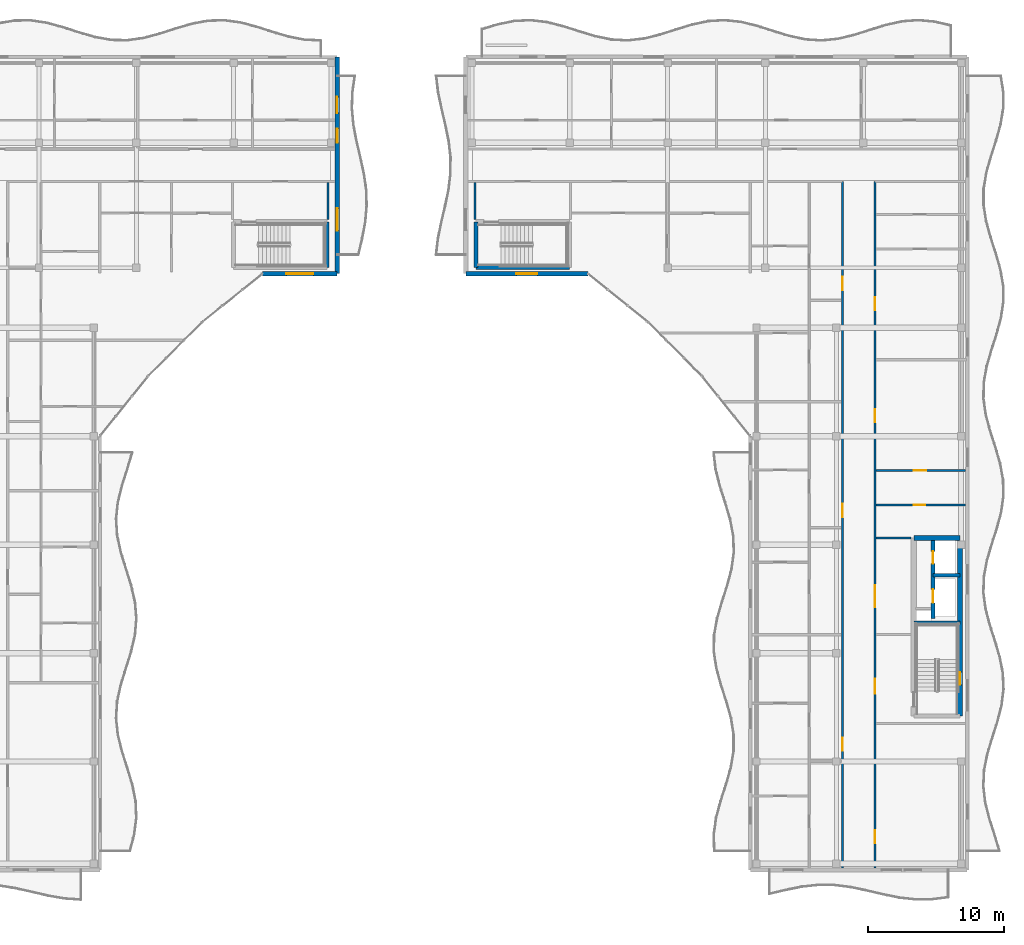
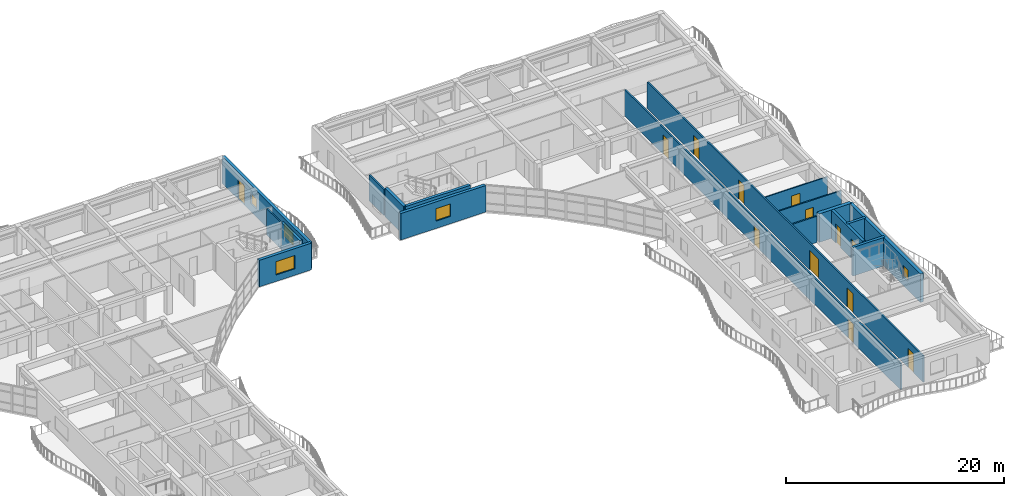
# One storey, part 42 of 68: 18 walls, 13 doors, 5 windows, 18 openings.
"""IFC4 building model written with IfcOpenShell, lengths in metres."""

from ifc_helpers import new_model, si_unit, direction, frame, frame_2d, origin, place, context, subcontext, project, spatial, rectangle, extrude, material, layer, layer_set, type_object, element, fill, save


model = new_model("IFC4")

# Units and contexts
model_context = context("Model", 3, precision=1e-05, world=origin(), true_north=direction((0.0, 1.0)))
body_context = subcontext(model_context, "Body", "Model", "MODEL_VIEW")
ifc_project = project(units=[si_unit("LENGTHUNIT", "METRE"), si_unit("AREAUNIT", "SQUARE_METRE"), si_unit("VOLUMEUNIT", "CUBIC_METRE"), si_unit("PLANEANGLEUNIT", "RADIAN"), si_unit("MASSUNIT", "GRAM", prefix="KILO")], contexts=[model_context])

# Site, building, storey
site_placement = place(None, origin())
site = spatial("IfcSite", under=ifc_project, at=site_placement, CompositionType="ELEMENT")
building_placement = place(site_placement, origin())
building = spatial("IfcBuilding", under=site, at=building_placement, Name="Keldmere Railside Commons", CompositionType="ELEMENT")
storey_placement = place(building_placement, frame((0.0, 0.0, 23.360107421875)))
storey = spatial("IfcBuildingStorey", under=building, at=storey_placement, Name="L07", CompositionType="ELEMENT", Elevation=23.360107421875)

# Wall, opening, door
ifc_material_1 = material(Name="Acoustic Gypsum Board Partition", Category="gypsum")
ifc_layer_1 = layer(ifc_material_1, 0.1201171875, Name="Apartment Interior Partition 120")
ifc_layer_set_1 = layer_set([ifc_layer_1], Name="Acoustic Gypsum Board Partition")
wall_type_1 = type_object("IfcWallType", Name="Apartment Interior Partition 120", PredefinedType="PARTITIONING", material=ifc_layer_set_1)
wall_1_placement = place(storey_placement, frame((177.280029296875, 85.47998046875, 0.0), z_axis=(0.0, 0.0, 1.0), x_axis=(1.0, 0.0, 0.0)))
wall_1 = element("IfcWall", 1, at=wall_1_placement, inside=storey, type_object=wall_type_1, Name="IW-4 IW-L07-1716", PredefinedType="PARTITIONING", context=body_context, shape_type="SweptSolid", body=[
    extrude(rectangle(XDim=6.590087890625, YDim=0.1201171875, at=frame_2d((3.294921875, 0.0))), origin(), (0.0, 0.0, 1.0), 2.934814453125),
])
opening_1_placement = place(wall_1_placement, frame((2.767822265625, 0.0, 0.0)))
opening_1 = element("IfcOpeningElement", 2, at=opening_1_placement, cuts=wall_1, Name="Opening ID-03", PredefinedType="OPENING", context=body_context, shape_type="SweptSolid", body=[
    extrude(rectangle(XDim=0.919921875, YDim=2.10009765625, at=frame_2d((0.4599609375, 1.050048828125))), frame((0.0, 0.070068359375, 0.0), z_axis=(0.0, -1.0, 0.0), x_axis=(1.0, 0.0, 0.0)), (0.0, 0.0, 1.0), 0.14013671875),
])
ifc_material_2 = material(Name="Engineered Oak Timber", Category="wood")
door_type_1 = type_object("IfcDoorType", Name="Kitchen Pocket-Frame Swing Door 920x2100", OperationType="NOTDEFINED", PredefinedType="DOOR", material=ifc_material_2)
door_1_placement = place(opening_1_placement, origin())
door_1 = element("IfcDoor", 3, at=door_1_placement, inside=storey, type_object=door_type_1, Name="ID-03 IDR-L07-1564", OperationType="SINGLE_SWING_RIGHT", OverallHeight=2.10009765625, OverallWidth=0.919921875, PredefinedType="DOOR", context=body_context, shape_type="SweptSolid", body=[
    extrude(rectangle(XDim=0.919921875, YDim=2.10009765625, at=frame_2d((0.4599609375, 1.050048828125))), frame((0.0, 0.02490234375, 0.0), z_axis=(0.0, -1.0, 0.0), x_axis=(1.0, 0.0, 0.0)), (0.0, 0.0, 1.0), 0.050048828125),
])
fill(opening_1, door_1)

# Walls
ifc_material_3 = material(Name="Concrete H-35 (C35/45)", Category="concrete")
ifc_layer_2 = layer(ifc_material_3, 0.280029296875, Name="Core Shear Wall 280")
ifc_layer_set_2 = layer_set([ifc_layer_2], Name="Concrete H-35 (C35/45)")
wall_type_2 = type_object("IfcWallType", Name="Core Shear Wall 280", PredefinedType="SHEAR", material=ifc_layer_set_2)
wall_2_placement = place(storey_placement, frame((180.06005859375, 74.239990234375, 0.0), z_axis=(0.0, 0.0, 1.0), x_axis=(1.0, 0.0, 0.0)))
element("IfcWall", 4, at=wall_2_placement, inside=storey, type_object=wall_type_2, Name="CSW-2 COREAM-L07-0796", PredefinedType="SHEAR", context=body_context, shape_type="SweptSolid", body=[
    extrude(rectangle(XDim=3.409912109375, YDim=0.280029296875, at=frame_2d((1.705078125, 0.0))), origin(), (0.0, 0.0, 1.0), 3.199951171875),
])
wall_3_placement = place(storey_placement, frame((181.469970703125, 77.75, 0.0), z_axis=(0.0, 0.0, 1.0), x_axis=(1.0, 0.0, 0.0)))
element("IfcWall", 5, at=wall_3_placement, inside=storey, type_object=wall_type_2, Name="CSW-2 COREAL-L07-0797", PredefinedType="SHEAR", context=body_context, shape_type="SweptSolid", body=[
    extrude(rectangle(XDim=2.0, YDim=0.280029296875, at=frame_2d((1.0, 0.0))), origin(), (0.0, 0.0, 1.0), 3.199951171875),
])

# Wall, openings, doors
wall_4_placement = place(storey_placement, frame((181.469970703125, 74.550048828125, 0.0), z_axis=(0.0, 0.0, 1.0), x_axis=(0.0, 1.0, 0.0)))
wall_4 = element("IfcWall", 6, at=wall_4_placement, inside=storey, type_object=wall_type_2, Name="CSW-2 LSHA-L07-0798", PredefinedType="SHEAR", context=body_context, shape_type="SweptSolid", body=[
    extrude(rectangle(XDim=5.949951171875, YDim=0.280029296875, at=frame_2d((2.97509765625, 0.0))), origin(), (0.0, 0.0, 1.0), 3.199951171875),
])
opening_2_placement = place(wall_4_placement, frame((1.14990234375, 0.0, 0.0)))
opening_2 = element("IfcOpeningElement", 7, at=opening_2_placement, cuts=wall_4, Name="Opening LD-1", PredefinedType="OPENING", context=body_context, shape_type="SweptSolid", body=[
    extrude(rectangle(XDim=1.0, YDim=2.14990234375, at=frame_2d((0.5, 1.074951171875))), frame((0.0, 0.14990234375, 0.0), z_axis=(0.0, -1.0, 0.0), x_axis=(1.0, 0.0, 0.0)), (0.0, 0.0, 1.0), 0.300048828125),
])
opening_3_placement = place(wall_4_placement, frame((4.050048828125, 0.0, 0.0)))
opening_3 = element("IfcOpeningElement", 8, at=opening_3_placement, cuts=wall_4, Name="Opening LD-2", PredefinedType="OPENING", context=body_context, shape_type="SweptSolid", body=[
    extrude(rectangle(XDim=0.89990234375, YDim=2.14990234375, at=frame_2d((0.449951171875, 1.074951171875))), frame((0.0, 0.14990234375, 0.0), z_axis=(0.0, -1.0, 0.0), x_axis=(1.0, 0.0, 0.0)), (0.0, 0.0, 1.0), 0.300048828125),
])
ifc_material_4 = material(Name="Steel F-24 (S235)", Category="steel")
door_type_2 = type_object("IfcDoorType", Name="Firefighting Stretcher Lift Landing Door 1000x2150", OperationType="SLIDING_TO_LEFT", PredefinedType="DOOR", material=ifc_material_4)
door_2_placement = place(opening_2_placement, origin())
door_2 = element("IfcDoor", 9, at=door_2_placement, inside=storey, type_object=door_type_2, Name="LD-1 A L07", OperationType="SLIDING_TO_LEFT", OverallHeight=2.14990234375, OverallWidth=1.0, PredefinedType="DOOR", context=body_context, shape_type="SweptSolid", body=[
    extrude(rectangle(XDim=1.0, YDim=2.14990234375, at=frame_2d((0.5, 1.074951171875))), frame((0.0, 0.02490234375, 0.0), z_axis=(0.0, -1.0, 0.0), x_axis=(1.0, 0.0, 0.0)), (0.0, 0.0, 1.0), 0.050048828125),
])
fill(opening_2, door_2)
door_type_3 = type_object("IfcDoorType", Name="Passenger Lift Sliding Landing Door 900x2150", OperationType="SLIDING_TO_RIGHT", PredefinedType="DOOR", material=ifc_material_4)
door_3_placement = place(opening_3_placement, origin())
door_3 = element("IfcDoor", 10, at=door_3_placement, inside=storey, type_object=door_type_3, Name="LD-2 A L07", OperationType="SLIDING_TO_RIGHT", OverallHeight=2.14990234375, OverallWidth=0.89990234375, PredefinedType="DOOR", context=body_context, shape_type="SweptSolid", body=[
    extrude(rectangle(XDim=0.89990234375, YDim=2.14990234375, at=frame_2d((0.449951171875, 1.074951171875))), frame((0.0, 0.02490234375, 0.0), z_axis=(0.0, -1.0, 0.0), x_axis=(1.0, 0.0, 0.0)), (0.0, 0.0, 1.0), 0.050048828125),
])
fill(opening_3, door_3)

# Wall
ifc_material_5 = material(Name="Concrete H-40 (C40/50)", Category="concrete")
ifc_layer_3 = layer(ifc_material_5, 0.3798828125, Name="Core Shear Wall 380")
ifc_layer_set_3 = layer_set([ifc_layer_3], Name="Concrete H-40 (C40/50)")
wall_type_3 = type_object("IfcWallType", Name="Core Shear Wall 380", PredefinedType="SHEAR", material=ifc_layer_set_3)
wall_5_placement = place(storey_placement, frame((180.06005859375, 80.5, 0.0), z_axis=(0.0, 0.0, 1.0), x_axis=(1.0, 0.0, 0.0)))
element("IfcWall", 11, at=wall_5_placement, inside=storey, type_object=wall_type_3, Name="CW-CORE COREAN-L07-0793", PredefinedType="SHEAR", context=body_context, shape_type="SweptSolid", body=[
    extrude(rectangle(XDim=3.409912109375, YDim=0.3798828125, at=frame_2d((1.705078125, 0.0))), origin(), (0.0, 0.0, 1.0), 3.199951171875),
])

# Wall, openings, doors
ifc_layer_4 = layer(ifc_material_1, 0.159912109375, Name="Corridor Fire Partition 160")
ifc_layer_set_4 = layer_set([ifc_layer_4], Name="Acoustic Gypsum Board Partition")
wall_type_4 = type_object("IfcWallType", Name="Corridor Fire Partition 160", PredefinedType="PARTITIONING", material=ifc_layer_set_4)
wall_6_placement = place(storey_placement, frame((174.800048828125, 56.159912109375, 0.0), z_axis=(0.0, 0.0, 1.0), x_axis=(0.0, 1.0, 0.0)))
wall_6 = element("IfcWall", 12, at=wall_6_placement, inside=storey, type_object=wall_type_4, Name="IW-2 IW-L07-1682", PredefinedType="PARTITIONING", context=body_context, shape_type="SweptSolid", body=[
    extrude(rectangle(XDim=50.64013671875, YDim=0.159912109375, at=frame_2d((25.320068359375, 0.0))), origin(), (0.0, 0.0, 1.0), 2.934814453125),
])
opening_4_placement = place(wall_6_placement, frame((8.6201171875, 0.0, 0.0)))
opening_4 = element("IfcOpeningElement", 13, at=opening_4_placement, cuts=wall_6, Name="Opening FD-7", PredefinedType="OPENING", context=body_context, shape_type="SweptSolid", body=[
    extrude(rectangle(XDim=0.97998046875, YDim=2.14990234375, at=frame_2d((0.489990234375, 1.074951171875))), frame((0.0, 0.08984375, 0.0), z_axis=(0.0, -1.0, 0.0), x_axis=(1.0, 0.0, 0.0)), (0.0, 0.0, 1.0), 0.179931640625),
])
opening_5_placement = place(wall_6_placement, frame((25.85009765625, 0.0, 0.0)))
opening_5 = element("IfcOpeningElement", 14, at=opening_5_placement, cuts=wall_6, Name="Opening FD-8", PredefinedType="OPENING", context=body_context, shape_type="SweptSolid", body=[
    extrude(rectangle(XDim=1.02001953125, YDim=2.14990234375, at=frame_2d((0.510009765625, 1.074951171875))), frame((0.0, 0.08984375, 0.0), z_axis=(0.0, -1.0, 0.0), x_axis=(1.0, 0.0, 0.0)), (0.0, 0.0, 1.0), 0.179931640625),
])
opening_6_placement = place(wall_6_placement, frame((42.6201171875, 0.0, 0.0)))
opening_6 = element("IfcOpeningElement", 15, at=opening_6_placement, cuts=wall_6, Name="Opening FD-7", PredefinedType="OPENING", context=body_context, shape_type="SweptSolid", body=[
    extrude(rectangle(XDim=0.97998046875, YDim=2.14990234375, at=frame_2d((0.489990234375, 1.074951171875))), frame((0.0, 0.08984375, 0.0), z_axis=(0.0, -1.0, 0.0), x_axis=(1.0, 0.0, 0.0)), (0.0, 0.0, 1.0), 0.179931640625),
])
door_type_4 = type_object("IfcDoorType", Name="Adaptable Apartment Entrance Fire Door 1020x2150", OperationType="NOTDEFINED", PredefinedType="DOOR", material=ifc_material_2)
door_4_placement = place(opening_5_placement, origin())
door_4 = element("IfcDoor", 16, at=door_4_placement, inside=storey, type_object=door_type_4, Name="FD-8 IDR-L07-1540", OperationType="SINGLE_SWING_RIGHT", OverallHeight=2.14990234375, OverallWidth=1.02001953125, PredefinedType="DOOR", context=body_context, shape_type="SweptSolid", body=[
    extrude(rectangle(XDim=1.02001953125, YDim=2.14990234375, at=frame_2d((0.510009765625, 1.074951171875))), frame((0.0, 0.02490234375, 0.0), z_axis=(0.0, -1.0, 0.0), x_axis=(1.0, 0.0, 0.0)), (0.0, 0.0, 1.0), 0.050048828125),
])
fill(opening_5, door_4)
door_type_5 = type_object("IfcDoorType", Name="Apartment Entrance Acoustic Fire Door 980x2150", OperationType="NOTDEFINED", PredefinedType="DOOR", material=ifc_material_2)
door_5_placement = place(opening_4_placement, origin())
door_5 = element("IfcDoor", 17, at=door_5_placement, inside=storey, type_object=door_type_5, Name="FD-7 IDR-L07-1535", OperationType="SINGLE_SWING_LEFT", OverallHeight=2.14990234375, OverallWidth=0.97998046875, PredefinedType="DOOR", context=body_context, shape_type="SweptSolid", body=[
    extrude(rectangle(XDim=0.97998046875, YDim=2.14990234375, at=frame_2d((0.489990234375, 1.074951171875))), frame((0.0, 0.02490234375, 0.0), z_axis=(0.0, -1.0, 0.0), x_axis=(1.0, 0.0, 0.0)), (0.0, 0.0, 1.0), 0.050048828125),
])
fill(opening_4, door_5)
door_6_placement = place(opening_6_placement, origin())
door_6 = element("IfcDoor", 18, at=door_6_placement, inside=storey, type_object=door_type_5, Name="FD-7 IDR-L07-1545", OperationType="SINGLE_SWING_LEFT", OverallHeight=2.14990234375, OverallWidth=0.97998046875, PredefinedType="DOOR", context=body_context, shape_type="SweptSolid", body=[
    extrude(rectangle(XDim=0.97998046875, YDim=2.14990234375, at=frame_2d((0.489990234375, 1.074951171875))), frame((0.0, 0.02490234375, 0.0), z_axis=(0.0, -1.0, 0.0), x_axis=(1.0, 0.0, 0.0)), (0.0, 0.0, 1.0), 0.050048828125),
])
fill(opening_6, door_6)

wall_7_placement = place(storey_placement, frame((177.199951171875, 56.159912109375, 0.0), z_axis=(0.0, 0.0, 1.0), x_axis=(0.0, 1.0, 0.0)))
wall_7 = element("IfcWall", 19, at=wall_7_placement, inside=storey, type_object=wall_type_4, Name="IW-2 IW-L07-1683", PredefinedType="PARTITIONING", context=body_context, shape_type="SweptSolid", body=[
    extrude(rectangle(XDim=50.64013671875, YDim=0.159912109375, at=frame_2d((25.320068359375, 0.0))), origin(), (0.0, 0.0, 1.0), 2.934814453125),
])
opening_7_placement = place(wall_7_placement, frame((12.840087890625, 0.0, 0.0)))
opening_7 = element("IfcOpeningElement", 20, at=opening_7_placement, cuts=wall_7, Name="Opening FD-2", PredefinedType="OPENING", context=body_context, shape_type="SweptSolid", body=[
    extrude(rectangle(XDim=1.10009765625, YDim=2.14990234375, at=frame_2d((0.550048828125, 1.074951171875))), frame((0.0, 0.08984375, 0.0), z_axis=(0.0, -1.0, 0.0), x_axis=(1.0, 0.0, 0.0)), (0.0, 0.0, 1.0), 0.179931640625),
])
opening_8_placement = place(wall_7_placement, frame((19.239990234375, 0.0, 0.0)))
opening_8 = element("IfcOpeningElement", 21, at=opening_8_placement, cuts=wall_7, Name="Opening FD-4", PredefinedType="OPENING", context=body_context, shape_type="SweptSolid", body=[
    extrude(rectangle(XDim=1.60009765625, YDim=2.14990234375, at=frame_2d((0.800048828125, 1.074951171875))), frame((0.0, 0.08984375, 0.0), z_axis=(0.0, -1.0, 0.0), x_axis=(1.0, 0.0, 0.0)), (0.0, 0.0, 1.0), 0.179931640625),
])
opening_9_placement = place(wall_7_placement, frame((1.800048828125, 0.0, 0.0)))
opening_9 = element("IfcOpeningElement", 22, at=opening_9_placement, cuts=wall_7, Name="Opening ID-08", PredefinedType="OPENING", context=body_context, shape_type="SweptSolid", body=[
    extrude(rectangle(XDim=0.9599609375, YDim=2.14990234375, at=frame_2d((0.47998046875, 1.074951171875))), frame((0.0, 0.08984375, 0.0), z_axis=(0.0, -1.0, 0.0), x_axis=(1.0, 0.0, 0.0)), (0.0, 0.0, 1.0), 0.179931640625),
])
opening_10_placement = place(wall_7_placement, frame((32.8701171875, 0.0, 0.0)))
opening_10 = element("IfcOpeningElement", 23, at=opening_10_placement, cuts=wall_7, Name="Opening FD-7", PredefinedType="OPENING", context=body_context, shape_type="SweptSolid", body=[
    extrude(rectangle(XDim=0.97998046875, YDim=2.14990234375, at=frame_2d((0.489990234375, 1.074951171875))), frame((0.0, 0.08984375, 0.0), z_axis=(0.0, -1.0, 0.0), x_axis=(1.0, 0.0, 0.0)), (0.0, 0.0, 1.0), 0.179931640625),
])
opening_11_placement = place(wall_7_placement, frame((41.1298828125, 0.0, 0.0)))
opening_11 = element("IfcOpeningElement", 24, at=opening_11_placement, cuts=wall_7, Name="Opening FD-7", PredefinedType="OPENING", context=body_context, shape_type="SweptSolid", body=[
    extrude(rectangle(XDim=0.97998046875, YDim=2.14990234375, at=frame_2d((0.489990234375, 1.074951171875))), frame((0.0, 0.08984375, 0.0), z_axis=(0.0, -1.0, 0.0), x_axis=(1.0, 0.0, 0.0)), (0.0, 0.0, 1.0), 0.179931640625),
])
door_7_placement = place(opening_10_placement, origin())
door_7 = element("IfcDoor", 25, at=door_7_placement, inside=storey, type_object=door_type_5, Name="FD-7 IDR-L07-1565", OperationType="SINGLE_SWING_LEFT", OverallHeight=2.14990234375, OverallWidth=0.97998046875, PredefinedType="DOOR", context=body_context, shape_type="SweptSolid", body=[
    extrude(rectangle(XDim=0.97998046875, YDim=2.14990234375, at=frame_2d((0.489990234375, 1.074951171875))), frame((0.0, 0.02490234375, 0.0), z_axis=(0.0, -1.0, 0.0), x_axis=(1.0, 0.0, 0.0)), (0.0, 0.0, 1.0), 0.050048828125),
])
fill(opening_10, door_7)
door_8_placement = place(opening_11_placement, origin())
door_8 = element("IfcDoor", 26, at=door_8_placement, inside=storey, type_object=door_type_5, Name="FD-7 IDR-L07-1568", OperationType="SINGLE_SWING_RIGHT", OverallHeight=2.14990234375, OverallWidth=0.97998046875, PredefinedType="DOOR", context=body_context, shape_type="SweptSolid", body=[
    extrude(rectangle(XDim=0.97998046875, YDim=2.14990234375, at=frame_2d((0.489990234375, 1.074951171875))), frame((0.0, 0.02490234375, 0.0), z_axis=(0.0, -1.0, 0.0), x_axis=(1.0, 0.0, 0.0)), (0.0, 0.0, 1.0), 0.050048828125),
])
fill(opening_11, door_8)
door_type_6 = type_object("IfcDoorType", Name="Corridor Cross-Compartment Double Fire Door 1600x2150", OperationType="DOUBLE_DOOR_SINGLE_SWING", PredefinedType="DOOR", material=ifc_material_4)
door_9_placement = place(opening_8_placement, origin())
door_9 = element("IfcDoor", 27, at=door_9_placement, inside=storey, type_object=door_type_6, Name="FD-4 IDR-L07-1532", OperationType="DOUBLE_DOOR_SINGLE_SWING", OverallHeight=2.14990234375, OverallWidth=1.60009765625, PredefinedType="DOOR", context=body_context, shape_type="SweptSolid", body=[
    extrude(rectangle(XDim=1.60009765625, YDim=2.14990234375, at=frame_2d((0.800048828125, 1.074951171875))), frame((0.0, 0.02490234375, 0.0), z_axis=(0.0, -1.0, 0.0), x_axis=(1.0, 0.0, 0.0)), (0.0, 0.0, 1.0), 0.050048828125),
])
fill(opening_8, door_9)
door_type_7 = type_object("IfcDoorType", Name="Firefighting Lobby Fire Door 1100x2150", OperationType="NOTDEFINED", PredefinedType="DOOR", material=ifc_material_4)
door_10_placement = place(opening_7_placement, origin())
door_10 = element("IfcDoor", 28, at=door_10_placement, inside=storey, type_object=door_type_7, Name="FD-2 IDR-L07-1531", OperationType="SINGLE_SWING_LEFT", OverallHeight=2.14990234375, OverallWidth=1.10009765625, PredefinedType="DOOR", context=body_context, shape_type="SweptSolid", body=[
    extrude(rectangle(XDim=1.10009765625, YDim=2.14990234375, at=frame_2d((0.550048828125, 1.074951171875))), frame((0.0, 0.02490234375, 0.0), z_axis=(0.0, -1.0, 0.0), x_axis=(1.0, 0.0, 0.0)), (0.0, 0.0, 1.0), 0.050048828125),
])
fill(opening_7, door_10)
door_type_8 = type_object("IfcDoorType", Name="Study & Meeting Room Door 960x2150", OperationType="NOTDEFINED", PredefinedType="DOOR", material=ifc_material_2)
door_11_placement = place(opening_9_placement, origin())
door_11 = element("IfcDoor", 29, at=door_11_placement, inside=storey, type_object=door_type_8, Name="ID-08 IDR-L07-1562", OperationType="SINGLE_SWING_RIGHT", OverallHeight=2.14990234375, OverallWidth=0.9599609375, PredefinedType="DOOR", context=body_context, shape_type="SweptSolid", body=[
    extrude(rectangle(XDim=0.9599609375, YDim=2.14990234375, at=frame_2d((0.47998046875, 1.074951171875))), frame((0.0, 0.02490234375, 0.0), z_axis=(0.0, -1.0, 0.0), x_axis=(1.0, 0.0, 0.0)), (0.0, 0.0, 1.0), 0.050048828125),
])
fill(opening_9, door_11)

# Wall, opening, window
ifc_layer_5 = layer(ifc_material_3, 0.320068359375, Name="Exterior Shear Wall 320")
ifc_layer_set_5 = layer_set([ifc_layer_5], Name="Concrete H-35 (C35/45)")
wall_type_5 = type_object("IfcWallType", Name="Exterior Shear Wall 320", PredefinedType="SHEAR", material=ifc_layer_set_5)
wall_8_placement = place(storey_placement, frame((137.5, 100.0, 0.0), z_axis=(0.0, 0.0, 1.0), x_axis=(-1.0, 0.0, 0.0)))
wall_8 = element("IfcWall", 30, at=wall_8_placement, inside=storey, type_object=wall_type_5, Name="ESW-2 EXTB-L07-0640", PredefinedType="SHEAR", context=body_context, shape_type="SweptSolid", body=[
    extrude(rectangle(XDim=5.5, YDim=0.320068359375, at=frame_2d((2.75, 0.0))), origin(), (0.0, 0.0, 1.0), 2.97998046875),
])
opening_12_placement = place(wall_8_placement, frame((1.75, 0.0, 0.719970703125)))
opening_12 = element("IfcOpeningElement", 31, at=opening_12_placement, cuts=wall_8, Name="Opening WN-02", PredefinedType="OPENING", context=body_context, shape_type="SweptSolid", body=[
    extrude(rectangle(XDim=2.0, YDim=1.5, at=frame_2d((1.0, 0.75))), frame((0.0, 0.169921875, 0.0), z_axis=(0.0, -1.0, 0.0), x_axis=(1.0, 0.0, 0.0)), (0.0, 0.0, 1.0), 0.340087890625),
])
ifc_material_6 = material(Name="Low-E Insulated Double Glazing", Category="glass")
window_type_1 = type_object("IfcWindowType", Name="Living Room South Casement Window 2000x1500", PartitioningType="SINGLE_PANEL", PredefinedType="WINDOW", material=ifc_material_6)
window_1_placement = place(opening_12_placement, origin())
window_1 = element("IfcWindow", 32, at=window_1_placement, inside=storey, type_object=window_type_1, Name="WN-02 WIN-L07-0480", OverallHeight=1.5, OverallWidth=2.0, PartitioningType="SINGLE_PANEL", PredefinedType="WINDOW", context=body_context, shape_type="SweptSolid", body=[
    extrude(rectangle(XDim=2.0, YDim=1.5, at=frame_2d((1.0, 0.75))), frame((0.0, 0.030029296875, 0.0), z_axis=(0.0, -1.0, 0.0), x_axis=(1.0, 0.0, 0.0)), (0.0, 0.0, 1.0), 0.06005859375),
])
fill(opening_12, window_1)

# Wall, openings, windows, door
wall_9_placement = place(storey_placement, frame((137.5, 116.0, 0.0), z_axis=(0.0, 0.0, 1.0), x_axis=(0.0, -1.0, 0.0)))
wall_9 = element("IfcWall", 33, at=wall_9_placement, inside=storey, type_object=wall_type_5, Name="ESW-2 EXTB-L07-0641", PredefinedType="SHEAR", context=body_context, shape_type="SweptSolid", body=[
    extrude(rectangle(XDim=16.0, YDim=0.320068359375, at=frame_2d((8.0, 0.0))), origin(), (0.0, 0.0, 1.0), 2.97998046875),
])
opening_13_placement = place(wall_9_placement, frame((2.949951171875, 0.0, 0.0)))
opening_13 = element("IfcOpeningElement", 34, at=opening_13_placement, cuts=wall_9, Name="Opening BD-01", PredefinedType="OPENING", context=body_context, shape_type="SweptSolid", body=[
    extrude(rectangle(XDim=1.199951171875, YDim=2.199951171875, at=frame_2d((0.60009765625, 1.10009765625))), frame((0.0, 0.169921875, 0.0), z_axis=(0.0, -1.0, 0.0), x_axis=(1.0, 0.0, 0.0)), (0.0, 0.0, 1.0), 0.340087890625),
])
opening_14_placement = place(wall_9_placement, frame((5.300048828125, 0.0, 0.89990234375)))
opening_14 = element("IfcOpeningElement", 35, at=opening_14_placement, cuts=wall_9, Name="Opening WN-13", PredefinedType="OPENING", context=body_context, shape_type="SweptSolid", body=[
    extrude(rectangle(XDim=1.050048828125, YDim=1.14990234375, at=frame_2d((0.52490234375, 0.574951171875))), frame((0.0, 0.169921875, 0.0), z_axis=(0.0, -1.0, 0.0), x_axis=(1.0, 0.0, 0.0)), (0.0, 0.0, 1.0), 0.340087890625),
])
opening_15_placement = place(wall_9_placement, frame((11.175048828125, 0.0, 0.77001953125)))
opening_15 = element("IfcOpeningElement", 36, at=opening_15_placement, cuts=wall_9, Name="Opening WN-03", PredefinedType="OPENING", context=body_context, shape_type="SweptSolid", body=[
    extrude(rectangle(XDim=1.64990234375, YDim=1.449951171875, at=frame_2d((0.824951171875, 0.72509765625))), frame((0.0, 0.169921875, 0.0), z_axis=(0.0, -1.0, 0.0), x_axis=(1.0, 0.0, 0.0)), (0.0, 0.0, 1.0), 0.340087890625),
])
window_type_2 = type_object("IfcWindowType", Name="Apartment Kitchen Casement Window 1050x1150", PartitioningType="SINGLE_PANEL", PredefinedType="WINDOW", material=ifc_material_6)
window_2_placement = place(opening_14_placement, origin())
window_2 = element("IfcWindow", 37, at=window_2_placement, inside=storey, type_object=window_type_2, Name="WN-13 WIN-L07-0481", OverallHeight=1.14990234375, OverallWidth=1.050048828125, PartitioningType="SINGLE_PANEL", PredefinedType="WINDOW", context=body_context, shape_type="SweptSolid", body=[
    extrude(rectangle(XDim=1.050048828125, YDim=1.14990234375, at=frame_2d((0.52490234375, 0.574951171875))), frame((0.0, 0.030029296875, 0.0), z_axis=(0.0, -1.0, 0.0), x_axis=(1.0, 0.0, 0.0)), (0.0, 0.0, 1.0), 0.06005859375),
])
fill(opening_14, window_2)
ifc_material_7 = material(Name="Thermally Broken Aluminium", Category="aluminium")
door_type_9 = type_object("IfcDoorType", Name="Apartment Living Wave-Balcony Glazed Door 1200x2200", OperationType="NOTDEFINED", PredefinedType="DOOR", material=ifc_material_7)
door_12_placement = place(opening_13_placement, origin())
door_12 = element("IfcDoor", 38, at=door_12_placement, inside=storey, type_object=door_type_9, Name="BD-01 DR-L07-0178", OperationType="SINGLE_SWING_RIGHT", OverallHeight=2.199951171875, OverallWidth=1.199951171875, PredefinedType="DOOR", context=body_context, shape_type="SweptSolid", body=[
    extrude(rectangle(XDim=1.199951171875, YDim=2.199951171875, at=frame_2d((0.60009765625, 1.10009765625))), frame((0.0, 0.02490234375, 0.0), z_axis=(0.0, -1.0, 0.0), x_axis=(1.0, 0.0, 0.0)), (0.0, 0.0, 1.0), 0.050048828125),
])
fill(opening_13, door_12)
window_type_3 = type_object("IfcWindowType", Name="Living Room East Shaded Window 1650x1450", PartitioningType="SINGLE_PANEL", PredefinedType="WINDOW", material=ifc_material_6)
window_3_placement = place(opening_15_placement, origin())
window_3 = element("IfcWindow", 39, at=window_3_placement, inside=storey, type_object=window_type_3, Name="WN-03 WIN-L07-0482", OverallHeight=1.449951171875, OverallWidth=1.64990234375, PartitioningType="SINGLE_PANEL", PredefinedType="WINDOW", context=body_context, shape_type="SweptSolid", body=[
    extrude(rectangle(XDim=1.64990234375, YDim=1.449951171875, at=frame_2d((0.824951171875, 0.72509765625))), frame((0.0, 0.030029296875, 0.0), z_axis=(0.0, -1.0, 0.0), x_axis=(1.0, 0.0, 0.0)), (0.0, 0.0, 1.0), 0.06005859375),
])
fill(opening_15, window_3)

# Wall, opening, window
wall_10_placement = place(storey_placement, frame((156.0, 100.0, 0.0), z_axis=(0.0, 0.0, 1.0), x_axis=(-1.0, 0.0, 0.0)))
wall_10 = element("IfcWall", 40, at=wall_10_placement, inside=storey, type_object=wall_type_5, Name="ESW-2 EXTA-L07-0928", PredefinedType="SHEAR", context=body_context, shape_type="SweptSolid", body=[
    extrude(rectangle(XDim=9.0, YDim=0.320068359375, at=frame_2d((4.5, 0.0))), origin(), (0.0, 0.0, 1.0), 2.97998046875),
])
opening_16_placement = place(wall_10_placement, frame((3.72509765625, 0.0, 0.820068359375)))
opening_16 = element("IfcOpeningElement", 41, at=opening_16_placement, cuts=wall_10, Name="Opening WN-07", PredefinedType="OPENING", context=body_context, shape_type="SweptSolid", body=[
    extrude(rectangle(XDim=1.550048828125, YDim=1.39990234375, at=frame_2d((0.77490234375, 0.699951171875))), frame((0.0, 0.169921875, 0.0), z_axis=(0.0, -1.0, 0.0), x_axis=(1.0, 0.0, 0.0)), (0.0, 0.0, 1.0), 0.340087890625),
])
window_type_4 = type_object("IfcWindowType", Name="Primary Bedroom South Window 1550x1400", PartitioningType="SINGLE_PANEL", PredefinedType="WINDOW", material=ifc_material_6)
window_4_placement = place(opening_16_placement, origin())
window_4 = element("IfcWindow", 42, at=window_4_placement, inside=storey, type_object=window_type_4, Name="WN-07 WIN-L07-0715", OverallHeight=1.39990234375, OverallWidth=1.550048828125, PartitioningType="SINGLE_PANEL", PredefinedType="WINDOW", context=body_context, shape_type="SweptSolid", body=[
    extrude(rectangle(XDim=1.550048828125, YDim=1.39990234375, at=frame_2d((0.77490234375, 0.699951171875))), frame((0.0, 0.030029296875, 0.0), z_axis=(0.0, -1.0, 0.0), x_axis=(1.0, 0.0, 0.0)), (0.0, 0.0, 1.0), 0.06005859375),
])
fill(opening_16, window_4)

# Walls
ifc_layer_6 = layer(ifc_material_3, 0.300048828125, Name="Interior Shear Wall 300")
ifc_layer_set_6 = layer_set([ifc_layer_6], Name="Concrete H-35 (C35/45)")
wall_type_6 = type_object("IfcWallType", Name="Interior Shear Wall 300", PredefinedType="SHEAR", material=ifc_layer_set_6)
wall_11_placement = place(storey_placement, frame((136.75, 100.449951171875, 0.0), z_axis=(0.0, 0.0, 1.0), x_axis=(0.0, 1.0, 0.0)))
element("IfcWall", 43, at=wall_11_placement, inside=storey, type_object=wall_type_6, Name="ISW-2 COREB2E-L07-0527", PredefinedType="SHEAR", context=body_context, shape_type="SweptSolid", body=[
    extrude(rectangle(XDim=3.3701171875, YDim=0.300048828125, at=frame_2d((1.68505859375, 0.0))), origin(), (0.0, 0.0, 1.0), 3.199951171875),
])
wall_12_placement = place(storey_placement, frame((147.75, 100.449951171875, 0.0), z_axis=(0.0, 0.0, 1.0), x_axis=(1.0, 0.0, 0.0)))
element("IfcWall", 44, at=wall_12_placement, inside=storey, type_object=wall_type_6, Name="ISW-2 COREA2S-L07-0800", PredefinedType="SHEAR", context=body_context, shape_type="SweptSolid", body=[
    extrude(rectangle(XDim=6.89990234375, YDim=0.300048828125, at=frame_2d((3.449951171875, 0.0))), origin(), (0.0, 0.0, 1.0), 3.199951171875),
])
wall_13_placement = place(storey_placement, frame((147.75, 103.820068359375, 0.0), z_axis=(0.0, 0.0, 1.0), x_axis=(0.0, -1.0, 0.0)))
element("IfcWall", 45, at=wall_13_placement, inside=storey, type_object=wall_type_6, Name="ISW-2 COREA2W-L07-0802", PredefinedType="SHEAR", context=body_context, shape_type="SweptSolid", body=[
    extrude(rectangle(XDim=3.3701171875, YDim=0.300048828125, at=frame_2d((1.68505859375, 0.0))), origin(), (0.0, 0.0, 1.0), 3.199951171875),
])

# Wall, opening, window
ifc_layer_7 = layer(ifc_material_3, 0.340087890625, Name="Interior Shear Wall 340")
ifc_layer_set_7 = layer_set([ifc_layer_7], Name="Concrete H-35 (C35/45)")
wall_type_7 = type_object("IfcWallType", Name="Interior Shear Wall 340", PredefinedType="SHEAR", material=ifc_layer_set_7)
wall_14_placement = place(storey_placement, frame((183.469970703125, 80.5, 0.0), z_axis=(0.0, 0.0, 1.0), x_axis=(0.0, -1.0, 0.0)))
wall_14 = element("IfcWall", 46, at=wall_14_placement, inside=storey, type_object=wall_type_7, Name="ISW-1 COREAE-L07-0794", PredefinedType="SHEAR", context=body_context, shape_type="SweptSolid", body=[
    extrude(rectangle(XDim=13.14990234375, YDim=0.340087890625, at=frame_2d((6.574951171875, 0.0))), origin(), (0.0, 0.0, 1.0), 3.199951171875),
])
opening_17_placement = place(wall_14_placement, frame((9.89990234375, 0.0, 0.969970703125)))
opening_17 = element("IfcOpeningElement", 47, at=opening_17_placement, cuts=wall_14, Name="Opening WN-17", PredefinedType="OPENING", context=body_context, shape_type="SweptSolid", body=[
    extrude(rectangle(XDim=0.949951171875, YDim=1.25, at=frame_2d((0.47509765625, 0.625))), frame((0.0, 0.179931640625, 0.0), z_axis=(0.0, -1.0, 0.0), x_axis=(1.0, 0.0, 0.0)), (0.0, 0.0, 1.0), 0.360107421875),
])
window_type_5 = type_object("IfcWindowType", Name="Stair Core Natural Smoke-Vent Window 950x1250", PartitioningType="SINGLE_PANEL", PredefinedType="WINDOW", material=ifc_material_6)
window_5_placement = place(opening_17_placement, origin())
window_5 = element("IfcWindow", 48, at=window_5_placement, inside=storey, type_object=window_type_5, Name="WN-17 WIN-L07-0563", OverallHeight=1.25, OverallWidth=0.949951171875, PartitioningType="SINGLE_PANEL", PredefinedType="WINDOW", context=body_context, shape_type="SweptSolid", body=[
    extrude(rectangle(XDim=0.949951171875, YDim=1.25, at=frame_2d((0.47509765625, 0.625))), frame((0.0, 0.030029296875, 0.0), z_axis=(0.0, -1.0, 0.0), x_axis=(1.0, 0.0, 0.0)), (0.0, 0.0, 1.0), 0.06005859375),
])
fill(opening_17, window_5)

# Walls
ifc_layer_8 = layer(ifc_material_1, 0.14990234375, Name="Lobby Rated Partition 150")
ifc_layer_set_8 = layer_set([ifc_layer_8], Name="Acoustic Gypsum Board Partition")
wall_type_8 = type_object("IfcWallType", Name="Lobby Rated Partition 150", PredefinedType="PARTITIONING", material=ifc_layer_set_8)
wall_15_placement = place(storey_placement, frame((136.820068359375, 103.989990234375, 0.0), z_axis=(0.0, 0.0, 1.0), x_axis=(0.0, 1.0, 0.0)))
element("IfcWall", 49, at=wall_15_placement, inside=storey, type_object=wall_type_8, Name="IW-3 IW-L07-1195", PredefinedType="PARTITIONING", context=body_context, shape_type="SweptSolid", body=[
    extrude(rectangle(XDim=2.72998046875, YDim=0.14990234375, at=frame_2d((1.364990234375, 0.0))), origin(), (0.0, 0.0, 1.0), 2.934814453125),
])
wall_16_placement = place(storey_placement, frame((177.280029296875, 80.5, 0.0), z_axis=(0.0, 0.0, 1.0), x_axis=(1.0, 0.0, 0.0)))
element("IfcWall", 50, at=wall_16_placement, inside=storey, type_object=wall_type_8, Name="IW-3 IW-L07-1681", PredefinedType="PARTITIONING", context=body_context, shape_type="SweptSolid", body=[
    extrude(rectangle(XDim=2.590087890625, YDim=0.14990234375, at=frame_2d((1.294921875, 0.0))), origin(), (0.0, 0.0, 1.0), 2.934814453125),
])
wall_17_placement = place(storey_placement, frame((147.679931640625, 103.989990234375, 0.0), z_axis=(0.0, 0.0, 1.0), x_axis=(0.0, 1.0, 0.0)))
element("IfcWall", 51, at=wall_17_placement, inside=storey, type_object=wall_type_8, Name="IW-3 IW-L07-1688", PredefinedType="PARTITIONING", context=body_context, shape_type="SweptSolid", body=[
    extrude(rectangle(XDim=2.72998046875, YDim=0.14990234375, at=frame_2d((1.364990234375, 0.0))), origin(), (0.0, 0.0, 1.0), 2.934814453125),
])

# Wall, opening, door
ifc_layer_9 = layer(ifc_material_1, 0.139892578125, Name="Wet-Room Sanitary Partition 140")
ifc_layer_set_9 = layer_set([ifc_layer_9], Name="Acoustic Gypsum Board Partition")
wall_type_9 = type_object("IfcWallType", Name="Wet-Room Sanitary Partition 140", PredefinedType="PARTITIONING", material=ifc_layer_set_9)
wall_18_placement = place(storey_placement, frame((177.280029296875, 82.929931640625, 0.0), z_axis=(0.0, 0.0, 1.0), x_axis=(1.0, 0.0, 0.0)))
wall_18 = element("IfcWall", 52, at=wall_18_placement, inside=storey, type_object=wall_type_9, Name="IW-5 IW-L07-1715", PredefinedType="PARTITIONING", context=body_context, shape_type="SweptSolid", body=[
    extrude(rectangle(XDim=6.590087890625, YDim=0.139892578125, at=frame_2d((3.294921875, 0.0))), origin(), (0.0, 0.0, 1.0), 2.934814453125),
])
opening_18_placement = place(wall_18_placement, frame((2.767822265625, 0.0, 0.0)))
opening_18 = element("IfcOpeningElement", 53, at=opening_18_placement, cuts=wall_18, Name="Opening ID-04", PredefinedType="OPENING", context=body_context, shape_type="SweptSolid", body=[
    extrude(rectangle(XDim=0.860107421875, YDim=2.10009765625, at=frame_2d((0.43017578125, 1.050048828125))), frame((0.0, 0.079833984375, 0.0), z_axis=(0.0, -1.0, 0.0), x_axis=(1.0, 0.0, 0.0)), (0.0, 0.0, 1.0), 0.159912109375),
])
door_type_10 = type_object("IfcDoorType", Name="Apartment Bathroom Door 860x2100", OperationType="NOTDEFINED", PredefinedType="DOOR", material=ifc_material_2)
door_13_placement = place(opening_18_placement, origin())
door_13 = element("IfcDoor", 54, at=door_13_placement, inside=storey, type_object=door_type_10, Name="ID-04 IDR-L07-1563", OperationType="SINGLE_SWING_LEFT", OverallHeight=2.10009765625, OverallWidth=0.860107421875, PredefinedType="DOOR", context=body_context, shape_type="SweptSolid", body=[
    extrude(rectangle(XDim=0.860107421875, YDim=2.10009765625, at=frame_2d((0.43017578125, 1.050048828125))), frame((0.0, 0.02490234375, 0.0), z_axis=(0.0, -1.0, 0.0), x_axis=(1.0, 0.0, 0.0)), (0.0, 0.0, 1.0), 0.050048828125),
])
fill(opening_18, door_13)

save(model, "model.ifc")
